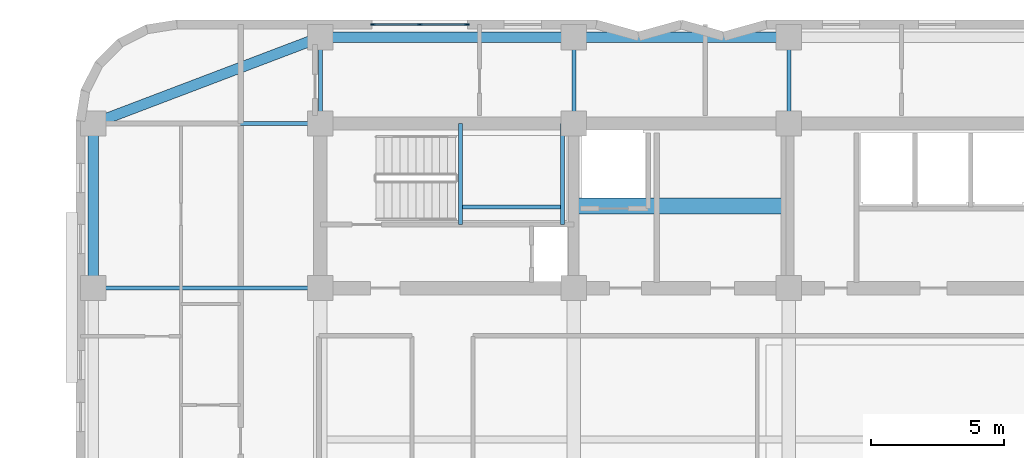
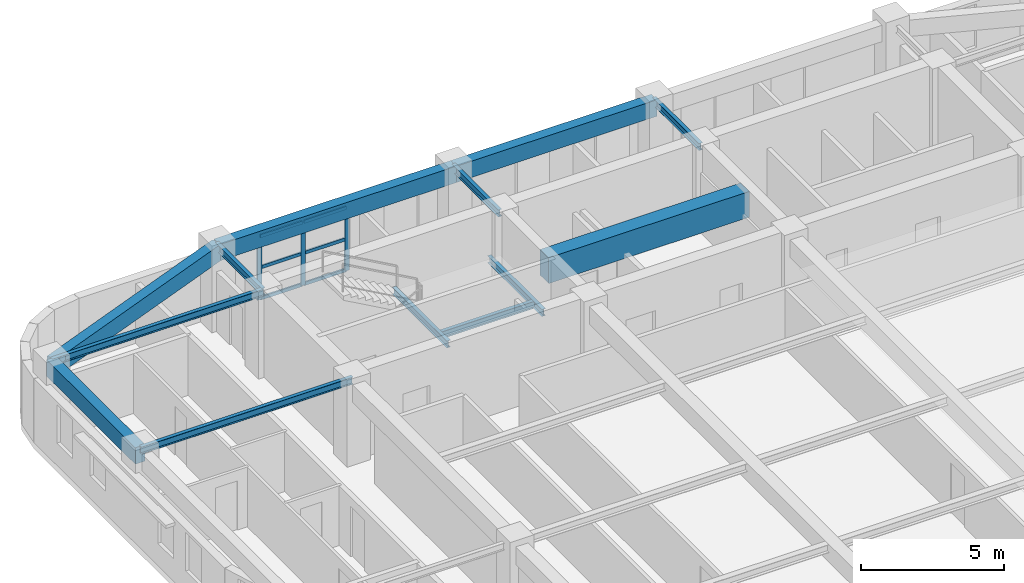
# One storey, part 3 of 12: 13 beams, 9 members, 1 element without a shape of its own.
"""IFC4 building model written with IfcOpenShell, lengths in metres."""

from ifc_helpers import new_model, si_unit, direction, frame, origin, origin_2d, place, context, subcontext, project, spatial, rectangle, i_section, extrude, material, material_profile, profile_set, type_object, element, aggregate, save


model = new_model("IFC4")

# Units and contexts
model_context = context("Model", 3, precision=1e-05, world=origin(), true_north=direction((0.0, 1.0)))
body_context = subcontext(model_context, "Body", "Model", "MODEL_VIEW")
ifc_project = project(units=[si_unit("LENGTHUNIT", "METRE"), si_unit("AREAUNIT", "SQUARE_METRE"), si_unit("VOLUMEUNIT", "CUBIC_METRE"), si_unit("PLANEANGLEUNIT", "RADIAN"), si_unit("MASSUNIT", "GRAM", prefix="KILO")], contexts=[model_context])

# Site, building, storey
site_placement = place(None, origin())
site = spatial("IfcSite", under=ifc_project, at=site_placement, CompositionType="ELEMENT")
building_placement = place(site_placement, origin())
building = spatial("IfcBuilding", under=site, at=building_placement, Name="Svetorya Sky Lyceum", CompositionType="ELEMENT")
storey_placement = place(building_placement, frame((0.0, 0.0, 177.39990234375)))
storey = spatial("IfcBuildingStorey", under=building, at=storey_placement, Name="L44", CompositionType="ELEMENT", Elevation=177.39990234375)

# Beams
ifc_material_1 = material(Name="Concrete C60/75", Category="concrete")
ifc_material_profile_1 = material_profile(ifc_material_1, rectangle(XDim=0.60009765625, YDim=1.10009765625, at=origin_2d()), Name="RC COUPLING 600x1100")
ifc_profile_set_1 = profile_set([ifc_material_profile_1], Name="Concrete C60/75")
beam_type_1 = type_object("IfcBeamType", Name="BM-CPL-1100", PredefinedType="LINTEL", material=ifc_profile_set_1)
beam_1_placement = place(storey_placement, frame((35.14990234375, 42.699951171875, 2.89013671875), z_axis=(1.0, 0.0, 0.0), x_axis=(0.0, 1.0, 0.0)))
element("IfcBeam", 1, at=beam_1_placement, inside=storey, type_object=beam_type_1, Name="L44 NC Core Coupling Beam", PredefinedType="LINTEL", context=body_context, shape_type="SweptSolid", body=[
    extrude(rectangle(XDim=0.60009765625, YDim=1.10009765625, at=origin_2d()), origin(), (0.0, 0.0, 1.0), 8.10009765625),
])
ifc_material_2 = material(Name="Concrete C50/60", Category="concrete")
ifc_material_profile_2 = material_profile(ifc_material_2, rectangle(XDim=0.39990234375, YDim=0.699951171875, at=origin_2d()), Name="RC SPANDREL 400x700")
ifc_profile_set_2 = profile_set([ifc_material_profile_2], Name="Concrete C50/60")
beam_type_2 = type_object("IfcBeamType", Name="BM-SPN-700", PredefinedType="SPANDREL", material=ifc_profile_set_2)
beam_2_placement = place(storey_placement, frame((25.60009765625, 49.050048828125, 3.090087890625), z_axis=(1.0, 0.0, 0.0), x_axis=(0.0, 1.0, 0.0)))
element("IfcBeam", 2, at=beam_2_placement, inside=storey, type_object=beam_type_2, Name="L44 North Spandrel 1", PredefinedType="SPANDREL", context=body_context, shape_type="SweptSolid", body=[
    extrude(rectangle(XDim=0.39990234375, YDim=0.699951171875, at=origin_2d()), origin(), (0.0, 0.0, 1.0), 9.5498046875),
])
beam_3_placement = place(storey_placement, frame((35.14990234375, 49.050048828125, 3.090087890625), z_axis=(1.0, 0.0, 0.0), x_axis=(0.0, 1.0, 0.0)))
element("IfcBeam", 3, at=beam_3_placement, inside=storey, type_object=beam_type_2, Name="L44 North Spandrel 2", PredefinedType="SPANDREL", context=body_context, shape_type="SweptSolid", body=[
    extrude(rectangle(XDim=0.39990234375, YDim=0.699951171875, at=origin_2d()), origin(), (0.0, 0.0, 1.0), 8.10009765625),
])
beam_4_placement = place(storey_placement, frame((17.050048828125, 45.800048828125, 3.090087890625), z_axis=(0.934747947367, 0.355311518099, 0.0), x_axis=(-0.355311518099, 0.934747947367, 0.0)))
element("IfcBeam", 4, at=beam_4_placement, inside=storey, type_object=beam_type_2, Name="L44 Corner Spandrel 4", PredefinedType="SPANDREL", context=body_context, shape_type="SweptSolid", body=[
    extrude(rectangle(XDim=0.39990234375, YDim=0.699951171875, at=origin_2d()), origin(), (0.0, 0.0, 1.0), 9.14697265625),
])
beam_5_placement = place(storey_placement, frame((17.050048828125, 39.60009765625, 3.090087890625), z_axis=(0.0, 1.0, 0.0), x_axis=(-1.0, 0.0, 0.0)))
element("IfcBeam", 5, at=beam_5_placement, inside=storey, type_object=beam_type_2, Name="L44 West Spandrel 4", PredefinedType="SPANDREL", context=body_context, shape_type="SweptSolid", body=[
    extrude(rectangle(XDim=0.39990234375, YDim=0.699951171875, at=origin_2d()), origin(), (0.0, 0.0, 1.0), 6.199951171875),
])
ifc_material_3 = material(Name="Steel S355", Category="steel")
ifc_material_profile_3 = material_profile(ifc_material_3, i_section(OverallWidth=0.14990234375, OverallDepth=0.299072265625, WebThickness=0.006591796875, FlangeThickness=0.010498046875, at=origin_2d()), Name="GOST 30B2")
ifc_profile_set_3 = profile_set([ifc_material_profile_3], Name="Steel S355")
beam_type_3 = type_object("IfcBeamType", Name="BM-STL-30B2", PredefinedType="JOIST", material=ifc_profile_set_3)
for number, where, z_axis, x_axis, name in (
    (6, (17.050048828125, 39.60009765625, 3.29052734375), (1.0, 0.0, 0.0), (0.0, 1.0, 0.0), "L44 West Wing Floor Joist W4"),
    (7, (17.050048828125, 45.800048828125, 3.29052734375), (1.0, 0.0, 0.0), (0.0, 1.0, 0.0), "L44 West Wing Floor Joist W5"),
):
    element("IfcBeam", number, at=place(storey_placement, frame(where, z_axis=z_axis, x_axis=x_axis)), inside=storey, type_object=beam_type_3, Name=name, PredefinedType="JOIST", context=body_context, shape_type="SweptSolid", body=[
        extrude(i_section(OverallWidth=0.14990234375, OverallDepth=0.299072265625, WebThickness=0.006591796875, FlangeThickness=0.010498046875, at=origin_2d()), origin(), (0.0, 0.0, 1.0), 8.550048828125),
    ])
for number, where, z_axis, x_axis, name in (
    (8, (25.60009765625, 45.800048828125, 3.29052734375), (0.0, 1.0, 0.0), (-1.0, 0.0, 0.0), "L44 North Bay Floor Girder N1"),
    (9, (35.14990234375, 45.800048828125, 3.29052734375), (0.0, 1.0, 0.0), (-1.0, 0.0, 0.0), "L44 North Bay Floor Girder N2"),
    (10, (43.25, 45.800048828125, 3.29052734375), (0.0, 1.0, 0.0), (-1.0, 0.0, 0.0), "L44 North Bay Floor Girder N3"),
):
    element("IfcBeam", number, at=place(storey_placement, frame(where, z_axis=z_axis, x_axis=x_axis)), inside=storey, type_object=beam_type_3, Name=name, PredefinedType="JOIST", context=body_context, shape_type="SweptSolid", body=[
        extrude(i_section(OverallWidth=0.14990234375, OverallDepth=0.299072265625, WebThickness=0.006591796875, FlangeThickness=0.010498046875, at=origin_2d()), origin(), (0.0, 0.0, 1.0), 3.25),
    ])
for number, where, z_axis, x_axis, name in (
    (11, (30.8798828125, 42.0, 1.50048828125), (0.0, 1.0, 0.0), (-1.0, 0.0, 0.0), "L44 Stair ST-N Half-Landing Support Beam 50.1"),
    (12, (34.719970703125, 42.0, 1.50048828125), (0.0, 1.0, 0.0), (-1.0, 0.0, 0.0), "L44 Stair ST-N Half-Landing Support Beam 50.2"),
):
    element("IfcBeam", number, at=place(storey_placement, frame(where, z_axis=z_axis, x_axis=x_axis)), inside=storey, type_object=beam_type_3, Name=name, PredefinedType="JOIST", context=body_context, shape_type="SweptSolid", body=[
        extrude(i_section(OverallWidth=0.14990234375, OverallDepth=0.299072265625, WebThickness=0.006591796875, FlangeThickness=0.010498046875, at=origin_2d()), origin(), (0.0, 0.0, 1.0), 3.800048828125),
    ])
beam_6_placement = place(storey_placement, frame((30.8798828125, 42.64990234375, 1.50048828125), z_axis=(1.0, 0.0, 0.0), x_axis=(0.0, 1.0, 0.0)))
element("IfcBeam", 13, at=beam_6_placement, inside=storey, type_object=beam_type_3, Name="L44 Stair ST-N Half-Landing Cross Tie 50", PredefinedType="JOIST", context=body_context, shape_type="SweptSolid", body=[
    extrude(i_section(OverallWidth=0.14990234375, OverallDepth=0.299072265625, WebThickness=0.006591796875, FlangeThickness=0.010498046875, at=origin_2d()), origin(), (0.0, 0.0, 1.0), 3.840087890625),
])

# Curtain wall, members
ifc_material_4 = material(Name="Thermally broken anodized aluminium and triple low-E glass", Category="aluminium")
curtain_wall_type = type_object("IfcCurtainWallType", Name="CW3-LOG-RES", PredefinedType="NOTDEFINED", material=ifc_material_4)
curtain_wall_placement = place(storey_placement, origin())
curtain_wall = element("IfcCurtainWall", 14, at=curtain_wall_placement, inside=storey, type_object=curtain_wall_type, Name="L44 Recessed Loggia Curtain Wall 34", PredefinedType="NOTDEFINED")
ifc_material_5 = material(Name="Thermally broken anodized aluminium EN AW-6060", Category="aluminium")
ifc_material_profile_4 = material_profile(ifc_material_5, rectangle(XDim=0.06494140625, YDim=0.179931640625, at=origin_2d()), Name="ALU MULLION 65x180")
ifc_profile_set_4 = profile_set([ifc_material_profile_4], Name="Thermally broken anodized aluminium EN AW-6060")
member_type_1 = type_object("IfcMemberType", Name="CWM-MUL-180", PredefinedType="MULLION", material=ifc_profile_set_4)
member_1_placement = place(storey_placement, frame((31.117431640625, 49.530029296875, 0.0), z_axis=(0.0, 0.0, 1.0), x_axis=(0.0, -1.0, 0.0)))
member_1 = element("IfcMember", 15, at=member_1_placement, type_object=member_type_1, Name="CW-3 mullion 1", PredefinedType="MULLION", context=body_context, shape_type="SweptSolid", body=[
    extrude(rectangle(XDim=0.06494140625, YDim=0.179931640625, at=origin_2d()), origin(), (0.0, 0.0, 1.0), 2.72021484375),
])
member_2_placement = place(storey_placement, frame((29.35009765625, 49.530029296875, 0.0), z_axis=(0.0, 0.0, 1.0), x_axis=(0.0, -1.0, 0.0)))
member_2 = element("IfcMember", 16, at=member_2_placement, type_object=member_type_1, Name="CW-3 mullion 2", PredefinedType="MULLION", context=body_context, shape_type="SweptSolid", body=[
    extrude(rectangle(XDim=0.06494140625, YDim=0.179931640625, at=origin_2d()), origin(), (0.0, 0.0, 1.0), 2.72021484375),
])
member_3_placement = place(storey_placement, frame((27.58251953125, 49.530029296875, 0.0), z_axis=(0.0, 0.0, 1.0), x_axis=(0.0, -1.0, 0.0)))
member_3 = element("IfcMember", 17, at=member_3_placement, type_object=member_type_1, Name="CW-3 mullion 3", PredefinedType="MULLION", context=body_context, shape_type="SweptSolid", body=[
    extrude(rectangle(XDim=0.06494140625, YDim=0.179931640625, at=origin_2d()), origin(), (0.0, 0.0, 1.0), 2.72021484375),
])
ifc_material_profile_5 = material_profile(ifc_material_5, rectangle(XDim=0.06494140625, YDim=0.139892578125, at=origin_2d()), Name="ALU TRANSOM 65x140")
ifc_profile_set_5 = profile_set([ifc_material_profile_5], Name="Thermally broken anodized aluminium EN AW-6060")
member_type_2 = type_object("IfcMemberType", Name="CWM-TRN-140", PredefinedType="USERDEFINED", material=ifc_profile_set_5)
member_4_placement = place(storey_placement, frame((31.08642578125, 49.530029296875, 0.03271484375), z_axis=(-1.0, 0.0, 0.0), x_axis=(0.0, -1.0, 0.0)))
member_4 = element("IfcMember", 18, at=member_4_placement, type_object=member_type_2, Name="CW-3 transom 1.1", ObjectType="TRANSOM", PredefinedType="USERDEFINED", context=body_context, shape_type="SweptSolid", body=[
    extrude(rectangle(XDim=0.06494140625, YDim=0.139892578125, at=origin_2d()), origin(), (0.0, 0.0, 1.0), 1.705322265625),
])
member_5_placement = place(storey_placement, frame((31.08642578125, 49.530029296875, 1.360107421875), z_axis=(-1.0, 0.0, 0.0), x_axis=(0.0, -1.0, 0.0)))
member_5 = element("IfcMember", 19, at=member_5_placement, type_object=member_type_2, Name="CW-3 transom 1.2", ObjectType="TRANSOM", PredefinedType="USERDEFINED", context=body_context, shape_type="SweptSolid", body=[
    extrude(rectangle(XDim=0.06494140625, YDim=0.139892578125, at=origin_2d()), origin(), (0.0, 0.0, 1.0), 1.705322265625),
])
member_6_placement = place(storey_placement, frame((31.08642578125, 49.530029296875, 2.6875), z_axis=(-1.0, 0.0, 0.0), x_axis=(0.0, -1.0, 0.0)))
member_6 = element("IfcMember", 20, at=member_6_placement, type_object=member_type_2, Name="CW-3 transom 1.3", ObjectType="TRANSOM", PredefinedType="USERDEFINED", context=body_context, shape_type="SweptSolid", body=[
    extrude(rectangle(XDim=0.06494140625, YDim=0.139892578125, at=origin_2d()), origin(), (0.0, 0.0, 1.0), 1.705322265625),
])
member_7_placement = place(storey_placement, frame((29.319091796875, 49.530029296875, 0.03271484375), z_axis=(-1.0, 0.0, 0.0), x_axis=(0.0, -1.0, 0.0)))
member_7 = element("IfcMember", 21, at=member_7_placement, type_object=member_type_2, Name="CW-3 transom 2.1", ObjectType="TRANSOM", PredefinedType="USERDEFINED", context=body_context, shape_type="SweptSolid", body=[
    extrude(rectangle(XDim=0.06494140625, YDim=0.139892578125, at=origin_2d()), origin(), (0.0, 0.0, 1.0), 1.70556640625),
])
member_8_placement = place(storey_placement, frame((29.319091796875, 49.530029296875, 1.360107421875), z_axis=(-1.0, 0.0, 0.0), x_axis=(0.0, -1.0, 0.0)))
member_8 = element("IfcMember", 22, at=member_8_placement, type_object=member_type_2, Name="CW-3 transom 2.2", ObjectType="TRANSOM", PredefinedType="USERDEFINED", context=body_context, shape_type="SweptSolid", body=[
    extrude(rectangle(XDim=0.06494140625, YDim=0.139892578125, at=origin_2d()), origin(), (0.0, 0.0, 1.0), 1.70556640625),
])
member_9_placement = place(storey_placement, frame((29.319091796875, 49.530029296875, 2.6875), z_axis=(-1.0, 0.0, 0.0), x_axis=(0.0, -1.0, 0.0)))
member_9 = element("IfcMember", 23, at=member_9_placement, type_object=member_type_2, Name="CW-3 transom 2.3", ObjectType="TRANSOM", PredefinedType="USERDEFINED", context=body_context, shape_type="SweptSolid", body=[
    extrude(rectangle(XDim=0.06494140625, YDim=0.139892578125, at=origin_2d()), origin(), (0.0, 0.0, 1.0), 1.70556640625),
])
aggregate(curtain_wall, [member_1, member_2, member_3, member_4, member_5, member_6, member_7, member_8, member_9])

save(model, "model.ifc")
